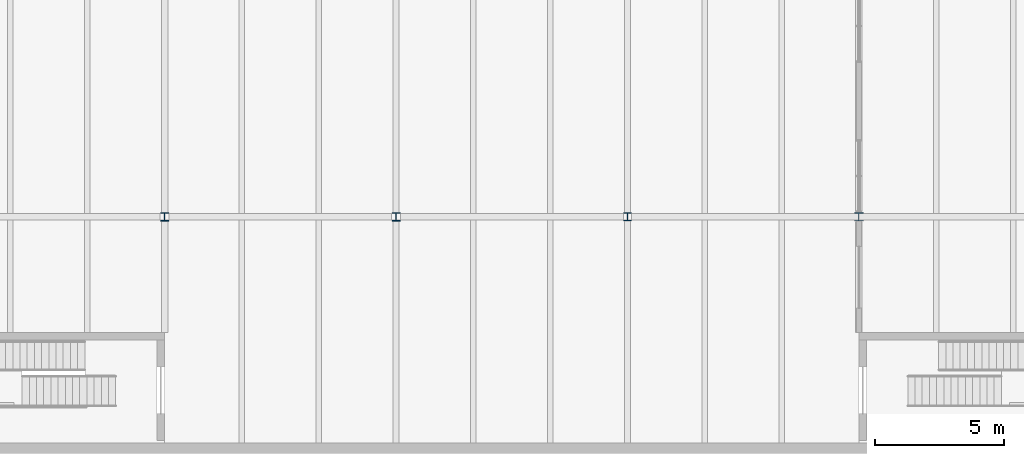
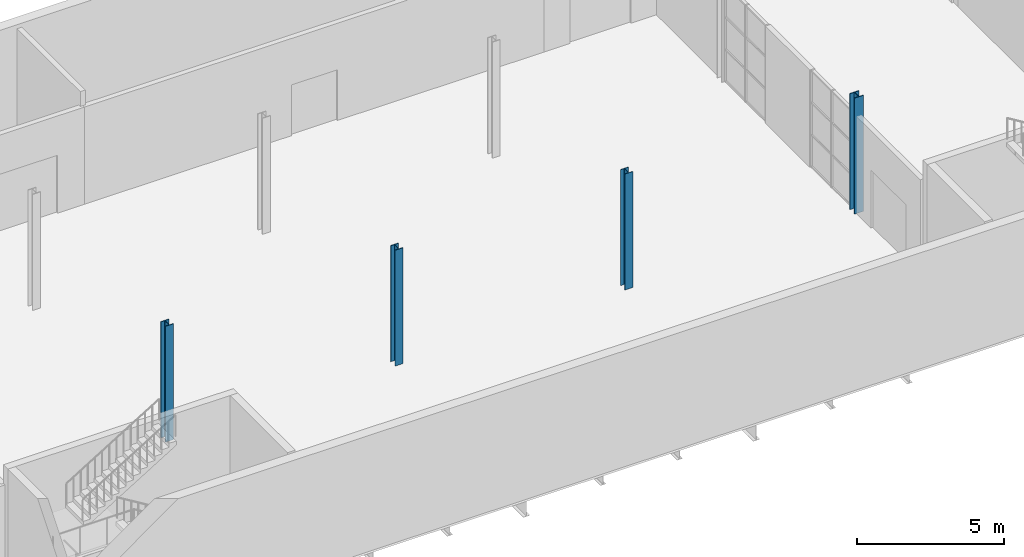
# One storey, part 4 of 31: 4 columns.
"""IFC4 building model written with IfcOpenShell, lengths in metres."""

from ifc_helpers import new_model, si_unit, direction, frame, origin, origin_2d, place, context, subcontext, project, spatial, i_section, extrude, material, material_profile, profile_set, type_object, element, save


model = new_model("IFC4")

# Units and contexts
model_context = context("Model", 3, precision=1e-05, world=origin(), true_north=direction((0.0, 1.0)))
body_context = subcontext(model_context, "Body", "Model", "MODEL_VIEW")
ifc_project = project(units=[si_unit("LENGTHUNIT", "METRE"), si_unit("AREAUNIT", "SQUARE_METRE"), si_unit("VOLUMEUNIT", "CUBIC_METRE"), si_unit("PLANEANGLEUNIT", "RADIAN"), si_unit("MASSUNIT", "GRAM", prefix="KILO")], contexts=[model_context])

# Site, building, storey
site_placement = place(None, origin())
site = spatial("IfcSite", under=ifc_project, at=site_placement, CompositionType="ELEMENT")
building_placement = place(site_placement, origin())
building = spatial("IfcBuilding", under=site, at=building_placement, Name="Halyard Row Museum", CompositionType="ELEMENT")
storey_placement = place(building_placement, frame((0.0, 0.0, -4.800048828125)))
storey = spatial("IfcBuildingStorey", under=building, at=storey_placement, Name="B1", CompositionType="ELEMENT", Elevation=-4.800048828125)

# Columns
ifc_material_1 = material(Name="Steel Grade 300", Category="steel")
ifc_material_profile_1 = material_profile(ifc_material_1, i_section(OverallWidth=0.30908203125, OverallDepth=0.320556640625, WebThickness=0.013916015625, FlangeThickness=0.021728515625, FilletRadius=0.0166015625, at=origin_2d()), Name="310UC137")
ifc_profile_set_1 = profile_set([ifc_material_profile_1], Name="Steel Grade 300")
column_type_1 = type_object("IfcColumnType", Name="Column 310UC137 interior", PredefinedType="COLUMN", material=ifc_profile_set_1)
column_1_placement = place(storey_placement, frame((54.0, 27.0, 0.0), z_axis=(0.0, 0.0, 1.0), x_axis=(1.0, 0.0, 0.0)))
element("IfcColumn", 1, at=column_1_placement, inside=storey, type_object=column_type_1, Name="Column 7D B1", PredefinedType="COLUMN", context=body_context, shape_type="SweptSolid", body=[
    extrude(i_section(OverallWidth=0.30908203125, OverallDepth=0.320556640625, WebThickness=0.013916015625, FlangeThickness=0.021728515625, FilletRadius=0.0166015625, at=origin_2d()), origin(), (0.0, 0.0, 1.0), 4.800048828125),
])
ifc_material_2 = material(Name="Steel Grade 300", Category="steel")
ifc_material_profile_2 = material_profile(ifc_material_2, i_section(OverallWidth=0.31103515625, OverallDepth=0.3271484375, WebThickness=0.015625, FlangeThickness=0.02490234375, FilletRadius=0.0166015625, at=origin_2d()), Name="310UC158")
ifc_profile_set_2 = profile_set([ifc_material_profile_2], Name="Steel Grade 300")
column_type_2 = type_object("IfcColumnType", Name="Column 310UC158 interior", PredefinedType="COLUMN", material=ifc_profile_set_2)
for number, where, z_axis, x_axis, name in (
    (2, (36.0, 27.0, 0.0), (0.0, 0.0, 1.0), (1.0, 0.0, 0.0), "Column 5D B1"),
    (3, (45.0, 27.0, 0.0), (0.0, 0.0, 1.0), (1.0, 0.0, 0.0), "Column 6D B1"),
):
    element("IfcColumn", number, at=place(storey_placement, frame(where, z_axis=z_axis, x_axis=x_axis)), inside=storey, type_object=column_type_2, Name=name, PredefinedType="COLUMN", context=body_context, shape_type="SweptSolid", body=[
        extrude(i_section(OverallWidth=0.31103515625, OverallDepth=0.3271484375, WebThickness=0.015625, FlangeThickness=0.02490234375, FilletRadius=0.0166015625, at=origin_2d()), origin(), (0.0, 0.0, 1.0), 4.800048828125),
    ])
ifc_material_3 = material(Name="Steel Grade 300", Category="steel")
ifc_material_profile_3 = material_profile(ifc_material_3, i_section(OverallWidth=0.35009765625, OverallDepth=0.339111328125, WebThickness=0.02490234375, FlangeThickness=0.031982421875, at=origin_2d()), Name="350WC230")
ifc_profile_set_3 = profile_set([ifc_material_profile_3], Name="Steel Grade 300")
column_type_3 = type_object("IfcColumnType", Name="Column 350WC230 interior", PredefinedType="COLUMN", material=ifc_profile_set_3)
column_2_placement = place(storey_placement, frame((63.0, 27.0, 0.0), z_axis=(0.0, 0.0, 1.0), x_axis=(1.0, 0.0, 0.0)))
element("IfcColumn", 4, at=column_2_placement, inside=storey, type_object=column_type_3, Name="Column 8D B1", PredefinedType="COLUMN", context=body_context, shape_type="SweptSolid", body=[
    extrude(i_section(OverallWidth=0.35009765625, OverallDepth=0.339111328125, WebThickness=0.02490234375, FlangeThickness=0.031982421875, at=origin_2d()), origin(), (0.0, 0.0, 1.0), 4.800048828125),
])

save(model, "model.ifc")
